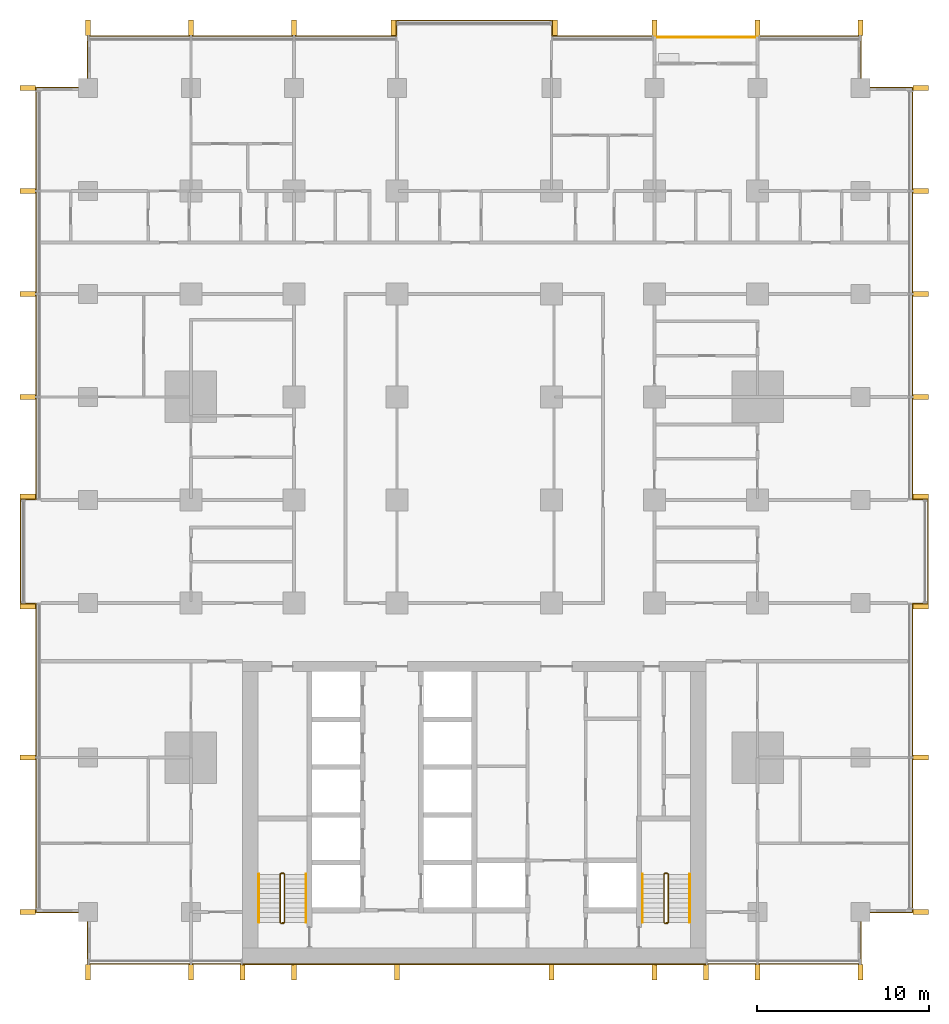
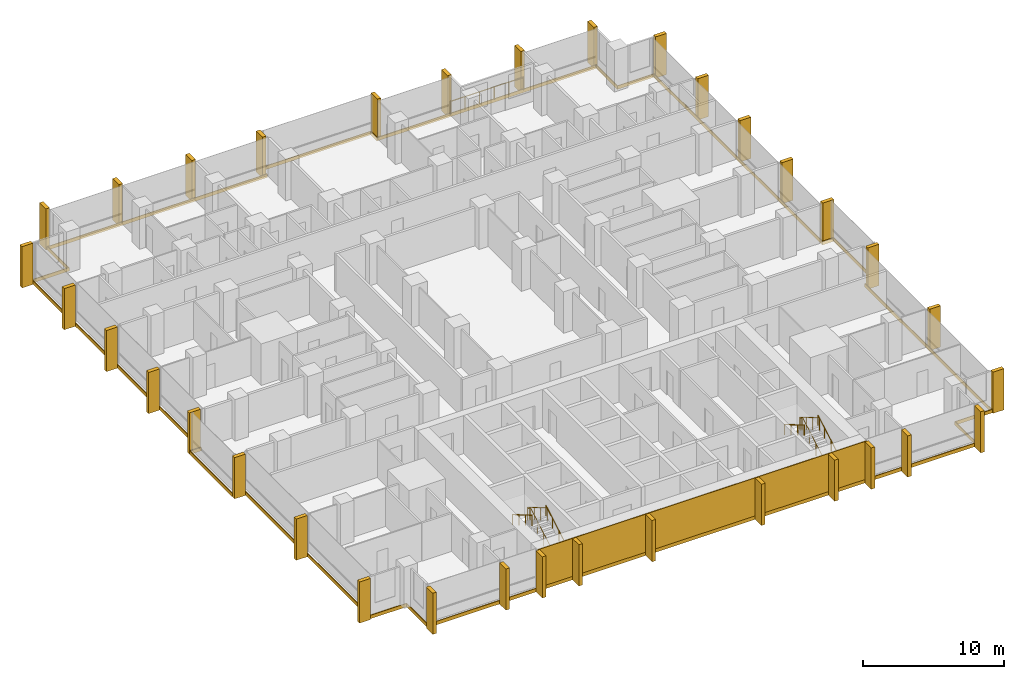
# One storey, part 18 of 18: 34 shading devices, 7 railings, 6 coverings.
"""IFC4 building model written with IfcOpenShell, lengths in metres."""

from ifc_helpers import new_model, si_unit, direction, frame, origin, origin_2d, place, context, subcontext, project, spatial, polyline, rectangle, circle, outline, extrude, material, layer, layer_set, type_object, element, save


model = new_model("IFC4")

# Units and contexts
model_context = context("Model", 3, precision=1e-05, world=origin(), true_north=direction((0.0, 1.0)))
body_context = subcontext(model_context, "Body", "Model", "MODEL_VIEW")
ifc_project = project(units=[si_unit("LENGTHUNIT", "METRE"), si_unit("AREAUNIT", "SQUARE_METRE"), si_unit("VOLUMEUNIT", "CUBIC_METRE"), si_unit("PLANEANGLEUNIT", "RADIAN"), si_unit("MASSUNIT", "GRAM", prefix="KILO")], contexts=[model_context])

# Site, building, storey
site_placement = place(None, origin())
site = spatial("IfcSite", under=ifc_project, at=site_placement, CompositionType="ELEMENT")
building_placement = place(site_placement, origin())
building = spatial("IfcBuilding", under=site, at=building_placement, Name="Finial Court Residences", CompositionType="ELEMENT")
storey_placement = place(building_placement, frame((0.0, 0.0, 57.699951171875)))
storey = spatial("IfcBuildingStorey", under=building, at=storey_placement, Name="L13", CompositionType="ELEMENT", Elevation=57.699951171875)

# Railing
ifc_material_1 = material(Name="Bronze anodised aluminium", Category="aluminium")
railing_type_1 = type_object("IfcRailingType", Name="Balcony guard 1100", PredefinedType="GUARDRAIL", material=ifc_material_1)
railing_1_placement = place(storey_placement, frame((10.5, 28.449951171875, 0.0)))
element("IfcRailing", 1, at=railing_1_placement, inside=storey, type_object=railing_type_1, Name="E-L13-BALN6-R", PredefinedType="GUARDRAIL", context=body_context, shape_type="SweptSolid", body=[
    extrude(circle(Radius=0.02392578125, at=origin_2d()), frame((0.0, 0.0, 1.076171875), z_axis=(1.0, 0.0, 0.0), x_axis=(0.0, 1.0, 0.0)), (0.0, 0.0, 1.0), 6.0),
    extrude(circle(Radius=0.02099609375, at=origin_2d()), origin(), (0.0, 0.0, 1.0), 1.052001953125),
    extrude(circle(Radius=0.02099609375, at=origin_2d()), frame((1.199951171875, 0.0, 0.0)), (0.0, 0.0, 1.0), 1.052001953125),
    extrude(circle(Radius=0.02099609375, at=origin_2d()), frame((2.39990234375, 0.0, 0.0)), (0.0, 0.0, 1.0), 1.052001953125),
    extrude(circle(Radius=0.02099609375, at=origin_2d()), frame((3.60009765625, 0.0, 0.0)), (0.0, 0.0, 1.0), 1.052001953125),
    extrude(circle(Radius=0.02099609375, at=origin_2d()), frame((4.800048828125, 0.0, 0.0)), (0.0, 0.0, 1.0), 1.052001953125),
    extrude(circle(Radius=0.02099609375, at=origin_2d()), frame((6.0, 0.0, 0.0)), (0.0, 0.0, 1.0), 1.052001953125),
])

# Coverings
ifc_material_2 = material(Name="Natural limestone", Category="masonry")
ifc_layer_1 = layer(ifc_material_2, 0.06005859375)
ifc_layer_set_1 = layer_set([ifc_layer_1], Name="Limestone cladding to the blind core face 60")
covering_type_1 = type_object("IfcCoveringType", Name="Limestone cladding to the blind core face 60", PredefinedType="CLADDING", material=ifc_layer_set_1)
covering_1_placement = place(storey_placement, origin())
element("IfcCovering", 2, at=covering_1_placement, inside=storey, type_object=covering_type_1, Name="E-L13-CLAD1", PredefinedType="CLADDING", context=body_context, shape_type="SweptSolid", body=[
    extrude(outline(polyline([(-10.5, -25.56005859375), (-10.5, -25.5), (-13.5, -25.5), (-13.5, -25.56005859375), (-10.5, -25.56005859375)])), origin(), (0.0, 0.0, 1.0), 3.300048828125),
])
covering_2_placement = place(storey_placement, origin())
element("IfcCovering", 3, at=covering_2_placement, inside=storey, type_object=covering_type_1, Name="E-L13-CLAD2", PredefinedType="CLADDING", context=body_context, shape_type="SweptSolid", body=[
    extrude(outline(polyline([(-4.5, -25.56005859375), (-4.5, -25.5), (-10.5, -25.5), (-10.5, -25.56005859375), (-4.5, -25.56005859375)])), origin(), (0.0, 0.0, 1.0), 3.300048828125),
])
covering_3_placement = place(storey_placement, origin())
element("IfcCovering", 4, at=covering_3_placement, inside=storey, type_object=covering_type_1, Name="E-L13-CLAD3", PredefinedType="CLADDING", context=body_context, shape_type="SweptSolid", body=[
    extrude(outline(polyline([(4.5, -25.56005859375), (4.5, -25.5), (-4.5, -25.5), (-4.5, -25.56005859375), (4.5, -25.56005859375)])), origin(), (0.0, 0.0, 1.0), 3.300048828125),
])
covering_4_placement = place(storey_placement, origin())
element("IfcCovering", 5, at=covering_4_placement, inside=storey, type_object=covering_type_1, Name="E-L13-CLAD4", PredefinedType="CLADDING", context=body_context, shape_type="SweptSolid", body=[
    extrude(outline(polyline([(10.5, -25.56005859375), (10.5, -25.5), (4.5, -25.5), (4.5, -25.56005859375), (10.5, -25.56005859375)])), origin(), (0.0, 0.0, 1.0), 3.300048828125),
])
covering_5_placement = place(storey_placement, origin())
element("IfcCovering", 6, at=covering_5_placement, inside=storey, type_object=covering_type_1, Name="E-L13-CLAD5", PredefinedType="CLADDING", context=body_context, shape_type="SweptSolid", body=[
    extrude(outline(polyline([(13.5, -25.56005859375), (13.5, -25.5), (10.5, -25.5), (10.5, -25.56005859375), (13.5, -25.56005859375)])), origin(), (0.0, 0.0, 1.0), 3.300048828125),
])

# Shading devices
shading_device_type = type_object("IfcShadingDeviceType", Name="Limestone fin 300 x 900", PredefinedType="USERDEFINED", material=ifc_material_2)
for number, where, z_axis, x_axis, name in (
    (7, (-22.5, 29.010009765625, -0.300048828125), (0.0, 0.0, 1.0), (1.0, 0.0, 0.0), "E-L13-FIN-N1"),
    (8, (-16.5, 29.010009765625, -0.300048828125), (0.0, 0.0, 1.0), (1.0, 0.0, 0.0), "E-L13-FIN-N2"),
    (9, (-10.5, 29.010009765625, -0.300048828125), (0.0, 0.0, 1.0), (1.0, 0.0, 0.0), "E-L13-FIN-N3"),
    (10, (-4.7099609375, 29.010009765625, -0.300048828125), (0.0, 0.0, 1.0), (1.0, 0.0, 0.0), "E-L13-FIN-N4"),
    (11, (4.7099609375, 29.010009765625, -0.300048828125), (0.0, 0.0, 1.0), (1.0, 0.0, 0.0), "E-L13-FIN-N5"),
    (12, (10.5, 29.010009765625, -0.300048828125), (0.0, 0.0, 1.0), (1.0, 0.0, 0.0), "E-L13-FIN-N6"),
    (13, (16.5, 29.010009765625, -0.300048828125), (0.0, 0.0, 1.0), (1.0, 0.0, 0.0), "E-L13-FIN-N7"),
    (14, (22.5, 29.010009765625, -0.300048828125), (0.0, 0.0, 1.0), (1.0, 0.0, 0.0), "E-L13-FIN-N8"),
):
    element("IfcShadingDevice", number, at=place(storey_placement, frame(where, z_axis=z_axis, x_axis=x_axis)), inside=storey, type_object=shading_device_type, Name=name, ObjectType="FIN", PredefinedType="USERDEFINED", context=body_context, shape_type="SweptSolid", body=[
        extrude(rectangle(XDim=0.300048828125, YDim=0.89990234375, at=origin_2d()), origin(), (0.0, 0.0, 1.0), 3.580078125),
    ])
for number, where, z_axis, x_axis, name in (
    (15, (26.010009765625, -22.5, -0.300048828125), (0.0, 0.0, 1.0), (1.0, 0.0, 0.0), "E-L13-FIN-E9"),
    (16, (26.010009765625, -13.5, -0.300048828125), (0.0, 0.0, 1.0), (1.0, 0.0, 0.0), "E-L13-FIN-E10"),
    (17, (26.010009765625, -4.7099609375, -0.300048828125), (0.0, 0.0, 1.0), (1.0, 0.0, 0.0), "E-L13-FIN-E11"),
    (18, (26.010009765625, 1.7099609375, -0.300048828125), (0.0, 0.0, 1.0), (1.0, 0.0, 0.0), "E-L13-FIN-E12"),
    (19, (26.010009765625, 7.5, -0.300048828125), (0.0, 0.0, 1.0), (1.0, 0.0, 0.0), "E-L13-FIN-E13"),
    (20, (26.010009765625, 13.5, -0.300048828125), (0.0, 0.0, 1.0), (1.0, 0.0, 0.0), "E-L13-FIN-E14"),
    (21, (26.010009765625, 19.5, -0.300048828125), (0.0, 0.0, 1.0), (1.0, 0.0, 0.0), "E-L13-FIN-E15"),
    (22, (26.010009765625, 25.5, -0.300048828125), (0.0, 0.0, 1.0), (1.0, 0.0, 0.0), "E-L13-FIN-E16"),
):
    element("IfcShadingDevice", number, at=place(storey_placement, frame(where, z_axis=z_axis, x_axis=x_axis)), inside=storey, type_object=shading_device_type, Name=name, ObjectType="FIN", PredefinedType="USERDEFINED", context=body_context, shape_type="SweptSolid", body=[
        extrude(rectangle(XDim=0.89990234375, YDim=0.300048828125, at=origin_2d()), origin(), (0.0, 0.0, 1.0), 3.580078125),
    ])
for number, where, z_axis, x_axis, name in (
    (23, (-22.5, -26.010009765625, -0.300048828125), (0.0, 0.0, 1.0), (1.0, 0.0, 0.0), "E-L13-FIN-S17"),
    (24, (-16.5, -26.010009765625, -0.300048828125), (0.0, 0.0, 1.0), (1.0, 0.0, 0.0), "E-L13-FIN-S18"),
    (25, (-13.5, -26.010009765625, -0.300048828125), (0.0, 0.0, 1.0), (1.0, 0.0, 0.0), "E-L13-FIN-S19"),
    (26, (-10.5, -26.010009765625, -0.300048828125), (0.0, 0.0, 1.0), (1.0, 0.0, 0.0), "E-L13-FIN-S20"),
    (27, (-4.5, -26.010009765625, -0.300048828125), (0.0, 0.0, 1.0), (1.0, 0.0, 0.0), "E-L13-FIN-S21"),
    (28, (4.5, -26.010009765625, -0.300048828125), (0.0, 0.0, 1.0), (1.0, 0.0, 0.0), "E-L13-FIN-S22"),
    (29, (10.5, -26.010009765625, -0.300048828125), (0.0, 0.0, 1.0), (1.0, 0.0, 0.0), "E-L13-FIN-S23"),
    (30, (13.5, -26.010009765625, -0.300048828125), (0.0, 0.0, 1.0), (1.0, 0.0, 0.0), "E-L13-FIN-S24"),
    (31, (16.5, -26.010009765625, -0.300048828125), (0.0, 0.0, 1.0), (1.0, 0.0, 0.0), "E-L13-FIN-S25"),
    (32, (22.5, -26.010009765625, -0.300048828125), (0.0, 0.0, 1.0), (1.0, 0.0, 0.0), "E-L13-FIN-S26"),
):
    element("IfcShadingDevice", number, at=place(storey_placement, frame(where, z_axis=z_axis, x_axis=x_axis)), inside=storey, type_object=shading_device_type, Name=name, ObjectType="FIN", PredefinedType="USERDEFINED", context=body_context, shape_type="SweptSolid", body=[
        extrude(rectangle(XDim=0.300048828125, YDim=0.89990234375, at=origin_2d()), origin(), (0.0, 0.0, 1.0), 3.580078125),
    ])
for number, where, z_axis, x_axis, name in (
    (33, (-26.010009765625, -22.5, -0.300048828125), (0.0, 0.0, 1.0), (1.0, 0.0, 0.0), "E-L13-FIN-W27"),
    (34, (-26.010009765625, -13.5, -0.300048828125), (0.0, 0.0, 1.0), (1.0, 0.0, 0.0), "E-L13-FIN-W28"),
    (35, (-26.010009765625, -4.7099609375, -0.300048828125), (0.0, 0.0, 1.0), (1.0, 0.0, 0.0), "E-L13-FIN-W29"),
    (36, (-26.010009765625, 1.7099609375, -0.300048828125), (0.0, 0.0, 1.0), (1.0, 0.0, 0.0), "E-L13-FIN-W30"),
    (37, (-26.010009765625, 7.5, -0.300048828125), (0.0, 0.0, 1.0), (1.0, 0.0, 0.0), "E-L13-FIN-W31"),
    (38, (-26.010009765625, 13.5, -0.300048828125), (0.0, 0.0, 1.0), (1.0, 0.0, 0.0), "E-L13-FIN-W32"),
    (39, (-26.010009765625, 19.5, -0.300048828125), (0.0, 0.0, 1.0), (1.0, 0.0, 0.0), "E-L13-FIN-W33"),
    (40, (-26.010009765625, 25.5, -0.300048828125), (0.0, 0.0, 1.0), (1.0, 0.0, 0.0), "E-L13-FIN-W34"),
):
    element("IfcShadingDevice", number, at=place(storey_placement, frame(where, z_axis=z_axis, x_axis=x_axis)), inside=storey, type_object=shading_device_type, Name=name, ObjectType="FIN", PredefinedType="USERDEFINED", context=body_context, shape_type="SweptSolid", body=[
        extrude(rectangle(XDim=0.89990234375, YDim=0.300048828125, at=origin_2d()), origin(), (0.0, 0.0, 1.0), 3.580078125),
    ])

# Covering
ifc_material_3 = material(Name="Pale limestone", Category="masonry")
ifc_layer_2 = layer(ifc_material_3, 0.06005859375)
ifc_layer_set_2 = layer_set([ifc_layer_2], Name="Pale limestone slab-edge band 60")
covering_type_2 = type_object("IfcCoveringType", Name="Pale limestone slab-edge band 60", PredefinedType="CLADDING", material=ifc_layer_set_2)
covering_6_placement = place(storey_placement, frame((0.0, 0.0, -0.300048828125)))
element("IfcCovering", 41, at=covering_6_placement, inside=storey, type_object=covering_type_2, Name="E-L13-BAND1", PredefinedType="CLADDING", context=body_context, shape_type="SweptSolid", body=[
    extrude(outline(polyline([(-22.56005859375, 25.56005859375), (-22.56005859375, 28.56005859375), (-4.56005859375, 28.56005859375), (-4.56005859375, 29.4599609375), (4.56005859375, 29.4599609375), (4.56005859375, 28.56005859375), (22.56005859375, 28.56005859375), (22.56005859375, 25.56005859375), (25.56005859375, 25.56005859375), (25.56005859375, 1.56005859375), (26.4599609375, 1.56005859375), (26.4599609375, -4.56005859375), (25.56005859375, -4.56005859375), (25.56005859375, -22.56005859375), (22.56005859375, -22.56005859375), (22.56005859375, -25.56005859375), (-22.56005859375, -25.56005859375), (-22.56005859375, -22.56005859375), (-25.56005859375, -22.56005859375), (-25.56005859375, -4.56005859375), (-26.4599609375, -4.56005859375), (-26.4599609375, 1.56005859375), (-25.56005859375, 1.56005859375), (-25.56005859375, 25.56005859375), (-22.56005859375, 25.56005859375)]), holes=[polyline([(-25.5, 1.5), (-26.39990234375, 1.5), (-26.39990234375, -4.5), (-25.5, -4.5), (-25.5, -22.5), (-22.5, -22.5), (-22.5, -25.5), (22.5, -25.5), (22.5, -22.5), (25.5, -22.5), (25.5, -4.5), (26.39990234375, -4.5), (26.39990234375, 1.5), (25.5, 1.5), (25.5, 25.5), (22.5, 25.5), (22.5, 28.5), (16.5, 28.5), (10.5, 28.5), (4.5, 28.5), (4.5, 29.39990234375), (-4.5, 29.39990234375), (-4.5, 28.5), (-22.5, 28.5), (-22.5, 25.5), (-25.5, 25.5), (-25.5, 1.5)])]), origin(), (0.0, 0.0, 1.0), 0.300048828125),
])

# Railings
ifc_material_4 = material(Name="Stainless steel railing", Category="steel")
railing_type_2 = type_object("IfcRailingType", Name="Stair guard 1100", PredefinedType="GUARDRAIL", material=ifc_material_4)
railing_2_placement = place(storey_placement, frame((-11.10009765625, -23.14990234375, 0.0)))
element("IfcRailing", 42, at=railing_2_placement, inside=storey, type_object=railing_type_2, Name="L13 ST-1 stair guard 1", PredefinedType="GUARDRAIL", context=body_context, shape_type="SweptSolid", body=[
    extrude(circle(Radius=0.02392578125, at=origin_2d()), frame((0.0, 0.0, 1.076171875), z_axis=(-1.0, 0.0, 0.0), x_axis=(0.0, -1.0, 0.0)), (0.0, 0.0, 1.0), 0.14990234375),
    extrude(circle(Radius=0.02392578125, at=origin_2d()), frame((-0.14990234375, 0.0, 1.076171875), z_axis=(0.760004195007, 0.189305074214, 0.621737253547), x_axis=(-0.241699205484, 0.970351222016, 0.0)), (0.0, 0.0, 1.0), 0.26318359375),
    extrude(circle(Radius=0.02392578125, at=origin_2d()), frame((0.050048828125, 0.0498046875, 1.23974609375), z_axis=(0.0, 0.863360870873, 0.504586966384), x_axis=(-1.0, 0.0, 0.0)), (0.0, 0.0, 1.0), 3.2431640625),
    extrude(circle(Radius=0.02392578125, at=origin_2d()), frame((0.050048828125, 2.849853515625, 2.8759765625), z_axis=(-0.707106781187, 0.707106781187, 0.0), x_axis=(-0.707106781187, -0.707106781187, 0.0)), (0.0, 0.0, 1.0), 0.07080078125),
    extrude(circle(Radius=0.02392578125, at=origin_2d()), frame((0.0, 2.89990234375, 2.8759765625), z_axis=(-1.0, 0.0, 0.0), x_axis=(0.0, -1.0, 0.0)), (0.0, 0.0, 1.0), 0.14990234375),
    extrude(circle(Radius=0.02392578125, at=origin_2d()), frame((-0.14990234375, 2.89990234375, 2.8759765625), z_axis=(-0.280808744504, -0.280808744504, 0.917765164963), x_axis=(0.707106781187, -0.707106781187, 0.0)), (0.0, 0.0, 1.0), 0.17822265625),
    extrude(circle(Radius=0.02392578125, at=origin_2d()), frame((-0.199951171875, 2.849853515625, 3.03955078125), z_axis=(0.0, -0.863360870873, 0.504586966384), x_axis=(1.0, 0.0, 0.0)), (0.0, 0.0, 1.0), 3.2431640625),
    extrude(circle(Radius=0.02099609375, at=origin_2d()), origin(), (0.0, 0.0, 1.0), 1.052001953125),
    extrude(circle(Radius=0.02099609375, at=origin_2d()), frame((-0.14990234375, 0.0, 0.0)), (0.0, 0.0, 1.0), 1.052001953125),
    extrude(circle(Radius=0.02099609375, at=origin_2d()), frame((0.050048828125, 0.0498046875, 0.16357421875)), (0.0, 0.0, 1.0), 1.052001953125),
    extrude(circle(Radius=0.02099609375, at=origin_2d()), frame((0.050048828125, 0.983154296875, 0.708984375)), (0.0, 0.0, 1.0), 1.052001953125),
    extrude(circle(Radius=0.02099609375, at=origin_2d()), frame((0.050048828125, 1.91650390625, 1.254638671875)), (0.0, 0.0, 1.0), 1.052001953125),
    extrude(circle(Radius=0.02099609375, at=origin_2d()), frame((0.050048828125, 2.849853515625, 1.800048828125)), (0.0, 0.0, 1.0), 1.052001953125),
    extrude(circle(Radius=0.02099609375, at=origin_2d()), frame((0.0, 2.89990234375, 1.800048828125)), (0.0, 0.0, 1.0), 1.052001953125),
    extrude(circle(Radius=0.02099609375, at=origin_2d()), frame((-0.14990234375, 2.89990234375, 1.800048828125)), (0.0, 0.0, 1.0), 1.052001953125),
    extrude(circle(Radius=0.02099609375, at=origin_2d()), frame((-0.199951171875, 2.849853515625, 1.963623046875)), (0.0, 0.0, 1.0), 1.052001953125),
    extrude(circle(Radius=0.02099609375, at=origin_2d()), frame((-0.199951171875, 1.91650390625, 2.509033203125)), (0.0, 0.0, 1.0), 1.052001953125),
    extrude(circle(Radius=0.02099609375, at=origin_2d()), frame((-0.199951171875, 0.983154296875, 3.0546875)), (0.0, 0.0, 1.0), 1.052001953125),
    extrude(circle(Radius=0.02099609375, at=origin_2d()), frame((-0.199951171875, 0.0498046875, 3.60009765625)), (0.0, 0.0, 1.0), 1.052001953125),
])
railing_3_placement = place(storey_placement, frame((11.25, -23.14990234375, 0.0)))
element("IfcRailing", 43, at=railing_3_placement, inside=storey, type_object=railing_type_2, Name="L13 ST-2 stair guard 1", PredefinedType="GUARDRAIL", context=body_context, shape_type="SweptSolid", body=[
    extrude(circle(Radius=0.02392578125, at=origin_2d()), frame((0.0, 0.0, 1.076171875), z_axis=(-1.0, 0.0, 0.0), x_axis=(0.0, -1.0, 0.0)), (0.0, 0.0, 1.0), 0.14990234375),
    extrude(circle(Radius=0.02392578125, at=origin_2d()), frame((-0.14990234375, 0.0, 1.076171875), z_axis=(0.760004195007, 0.189305074214, 0.621737253547), x_axis=(-0.241699205484, 0.970351222016, 0.0)), (0.0, 0.0, 1.0), 0.26318359375),
    extrude(circle(Radius=0.02392578125, at=origin_2d()), frame((0.050048828125, 0.0498046875, 1.23974609375), z_axis=(0.0, 0.863360870873, 0.504586966384), x_axis=(-1.0, 0.0, 0.0)), (0.0, 0.0, 1.0), 3.2431640625),
    extrude(circle(Radius=0.02392578125, at=origin_2d()), frame((0.050048828125, 2.849853515625, 2.8759765625), z_axis=(-0.707106781187, 0.707106781187, 0.0), x_axis=(-0.707106781187, -0.707106781187, 0.0)), (0.0, 0.0, 1.0), 0.07080078125),
    extrude(circle(Radius=0.02392578125, at=origin_2d()), frame((0.0, 2.89990234375, 2.8759765625), z_axis=(-1.0, 0.0, 0.0), x_axis=(0.0, -1.0, 0.0)), (0.0, 0.0, 1.0), 0.14990234375),
    extrude(circle(Radius=0.02392578125, at=origin_2d()), frame((-0.14990234375, 2.89990234375, 2.8759765625), z_axis=(-0.280808744504, -0.280808744504, 0.917765164963), x_axis=(0.707106781187, -0.707106781187, 0.0)), (0.0, 0.0, 1.0), 0.17822265625),
    extrude(circle(Radius=0.02392578125, at=origin_2d()), frame((-0.199951171875, 2.849853515625, 3.03955078125), z_axis=(0.0, -0.863360870873, 0.504586966384), x_axis=(1.0, 0.0, 0.0)), (0.0, 0.0, 1.0), 3.2431640625),
    extrude(circle(Radius=0.02099609375, at=origin_2d()), origin(), (0.0, 0.0, 1.0), 1.052001953125),
    extrude(circle(Radius=0.02099609375, at=origin_2d()), frame((-0.14990234375, 0.0, 0.0)), (0.0, 0.0, 1.0), 1.052001953125),
    extrude(circle(Radius=0.02099609375, at=origin_2d()), frame((0.050048828125, 0.0498046875, 0.16357421875)), (0.0, 0.0, 1.0), 1.052001953125),
    extrude(circle(Radius=0.02099609375, at=origin_2d()), frame((0.050048828125, 0.983154296875, 0.708984375)), (0.0, 0.0, 1.0), 1.052001953125),
    extrude(circle(Radius=0.02099609375, at=origin_2d()), frame((0.050048828125, 1.91650390625, 1.254638671875)), (0.0, 0.0, 1.0), 1.052001953125),
    extrude(circle(Radius=0.02099609375, at=origin_2d()), frame((0.050048828125, 2.849853515625, 1.800048828125)), (0.0, 0.0, 1.0), 1.052001953125),
    extrude(circle(Radius=0.02099609375, at=origin_2d()), frame((0.0, 2.89990234375, 1.800048828125)), (0.0, 0.0, 1.0), 1.052001953125),
    extrude(circle(Radius=0.02099609375, at=origin_2d()), frame((-0.14990234375, 2.89990234375, 1.800048828125)), (0.0, 0.0, 1.0), 1.052001953125),
    extrude(circle(Radius=0.02099609375, at=origin_2d()), frame((-0.199951171875, 2.849853515625, 1.963623046875)), (0.0, 0.0, 1.0), 1.052001953125),
    extrude(circle(Radius=0.02099609375, at=origin_2d()), frame((-0.199951171875, 1.91650390625, 2.509033203125)), (0.0, 0.0, 1.0), 1.052001953125),
    extrude(circle(Radius=0.02099609375, at=origin_2d()), frame((-0.199951171875, 0.983154296875, 3.0546875)), (0.0, 0.0, 1.0), 1.052001953125),
    extrude(circle(Radius=0.02099609375, at=origin_2d()), frame((-0.199951171875, 0.0498046875, 3.60009765625)), (0.0, 0.0, 1.0), 1.052001953125),
])
railing_type_3 = type_object("IfcRailingType", Name="Stair handrail 900", PredefinedType="HANDRAIL", material=ifc_material_4)
railing_4_placement = place(storey_placement, frame((-9.800048828125, -23.10009765625, 0.16357421875)))
element("IfcRailing", 44, at=railing_4_placement, inside=storey, type_object=railing_type_3, Name="L13 ST-1 stair handrail 1", PredefinedType="HANDRAIL", context=body_context, shape_type="SweptSolid", body=[
    extrude(circle(Radius=0.02392578125, at=origin_2d()), frame((0.0, 0.0, 0.8759765625), z_axis=(0.0, 0.863360870873, 0.504586966384), x_axis=(-1.0, 0.0, 0.0)), (0.0, 0.0, 1.0), 3.2431640625),
    extrude(circle(Radius=0.02099609375, at=origin_2d()), origin(), (0.0, 0.0, 1.0), 0.851806640625),
    extrude(circle(Radius=0.02099609375, at=origin_2d()), frame((0.0, 0.933349609375, 0.54541015625)), (0.0, 0.0, 1.0), 0.851806640625),
    extrude(circle(Radius=0.02099609375, at=origin_2d()), frame((0.0, 1.86669921875, 1.091064453125)), (0.0, 0.0, 1.0), 0.851806640625),
    extrude(circle(Radius=0.02099609375, at=origin_2d()), frame((0.0, 2.800048828125, 1.636474609375)), (0.0, 0.0, 1.0), 0.851806640625),
])
railing_5_placement = place(storey_placement, frame((-12.550048828125, -20.300048828125, 1.963623046875)))
element("IfcRailing", 45, at=railing_5_placement, inside=storey, type_object=railing_type_3, Name="L13 ST-1 stair handrail 2", PredefinedType="HANDRAIL", context=body_context, shape_type="SweptSolid", body=[
    extrude(circle(Radius=0.02392578125, at=origin_2d()), frame((0.0, 0.0, 0.8759765625), z_axis=(0.0, -0.863360870873, 0.504586966384), x_axis=(1.0, 0.0, 0.0)), (0.0, 0.0, 1.0), 3.2431640625),
    extrude(circle(Radius=0.02099609375, at=origin_2d()), origin(), (0.0, 0.0, 1.0), 0.851806640625),
    extrude(circle(Radius=0.02099609375, at=origin_2d()), frame((0.0, -0.933349609375, 0.54541015625)), (0.0, 0.0, 1.0), 0.851806640625),
    extrude(circle(Radius=0.02099609375, at=origin_2d()), frame((0.0, -1.86669921875, 1.091064453125)), (0.0, 0.0, 1.0), 0.851806640625),
    extrude(circle(Radius=0.02099609375, at=origin_2d()), frame((0.0, -2.800048828125, 1.636474609375)), (0.0, 0.0, 1.0), 0.851806640625),
])
railing_6_placement = place(storey_placement, frame((12.550048828125, -23.10009765625, 0.16357421875)))
element("IfcRailing", 46, at=railing_6_placement, inside=storey, type_object=railing_type_3, Name="L13 ST-2 stair handrail 1", PredefinedType="HANDRAIL", context=body_context, shape_type="SweptSolid", body=[
    extrude(circle(Radius=0.02392578125, at=origin_2d()), frame((0.0, 0.0, 0.8759765625), z_axis=(0.0, 0.863360870873, 0.504586966384), x_axis=(-1.0, 0.0, 0.0)), (0.0, 0.0, 1.0), 3.2431640625),
    extrude(circle(Radius=0.02099609375, at=origin_2d()), origin(), (0.0, 0.0, 1.0), 0.851806640625),
    extrude(circle(Radius=0.02099609375, at=origin_2d()), frame((0.0, 0.933349609375, 0.54541015625)), (0.0, 0.0, 1.0), 0.851806640625),
    extrude(circle(Radius=0.02099609375, at=origin_2d()), frame((0.0, 1.86669921875, 1.091064453125)), (0.0, 0.0, 1.0), 0.851806640625),
    extrude(circle(Radius=0.02099609375, at=origin_2d()), frame((0.0, 2.800048828125, 1.636474609375)), (0.0, 0.0, 1.0), 0.851806640625),
])
railing_7_placement = place(storey_placement, frame((9.800048828125, -20.300048828125, 1.963623046875)))
element("IfcRailing", 47, at=railing_7_placement, inside=storey, type_object=railing_type_3, Name="L13 ST-2 stair handrail 2", PredefinedType="HANDRAIL", context=body_context, shape_type="SweptSolid", body=[
    extrude(circle(Radius=0.02392578125, at=origin_2d()), frame((0.0, 0.0, 0.8759765625), z_axis=(0.0, -0.863360870873, 0.504586966384), x_axis=(1.0, 0.0, 0.0)), (0.0, 0.0, 1.0), 3.2431640625),
    extrude(circle(Radius=0.02099609375, at=origin_2d()), origin(), (0.0, 0.0, 1.0), 0.851806640625),
    extrude(circle(Radius=0.02099609375, at=origin_2d()), frame((0.0, -0.933349609375, 0.54541015625)), (0.0, 0.0, 1.0), 0.851806640625),
    extrude(circle(Radius=0.02099609375, at=origin_2d()), frame((0.0, -1.86669921875, 1.091064453125)), (0.0, 0.0, 1.0), 0.851806640625),
    extrude(circle(Radius=0.02099609375, at=origin_2d()), frame((0.0, -2.800048828125, 1.636474609375)), (0.0, 0.0, 1.0), 0.851806640625),
])

save(model, "model.ifc")
